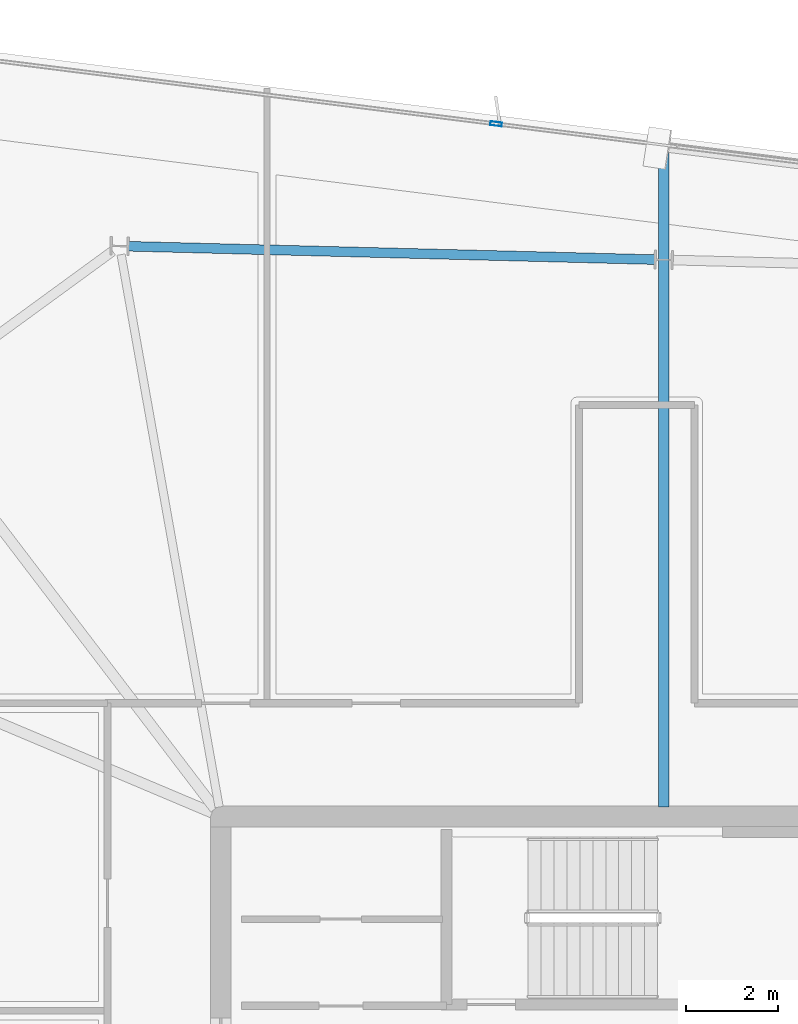
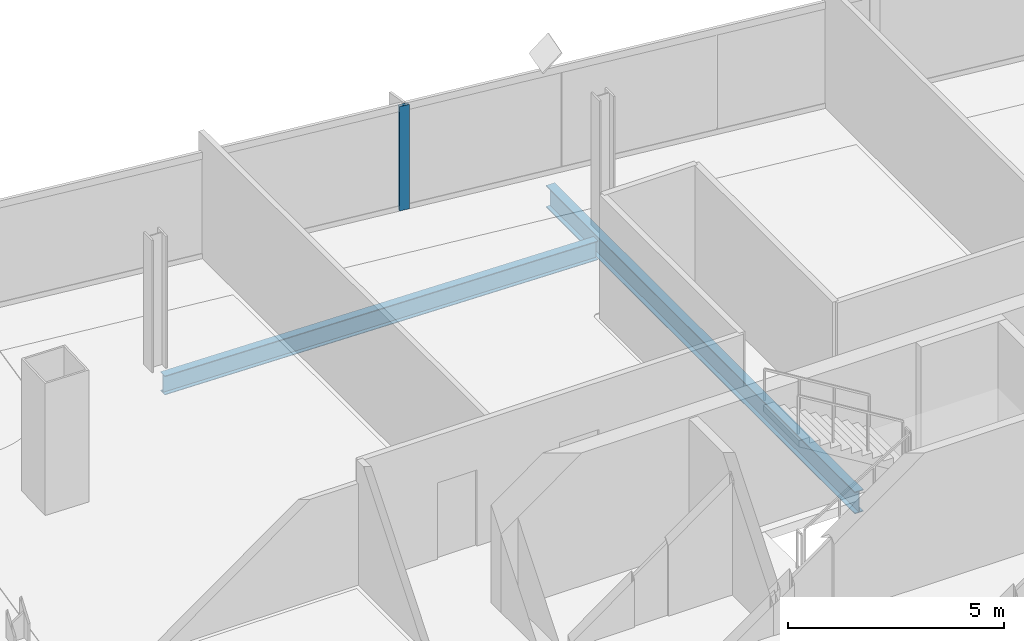
# One storey, part 12 of 23: 2 beams, 1 member, 1 element without a shape of its own.
"""IFC4 building model written with IfcOpenShell, lengths in metres."""

from ifc_helpers import new_model, si_unit, direction, frame, origin, origin_2d, place, context, subcontext, project, spatial, hollow_rectangle, i_section, extrude, material, material_profile, profile_set, type_object, element, aggregate, save


model = new_model("IFC4")

# Units and contexts
model_context = context("Model", 3, precision=1e-05, world=origin(), true_north=direction((0.0, 1.0)))
body_context = subcontext(model_context, "Body", "Model", "MODEL_VIEW")
ifc_project = project(units=[si_unit("LENGTHUNIT", "METRE"), si_unit("AREAUNIT", "SQUARE_METRE"), si_unit("VOLUMEUNIT", "CUBIC_METRE"), si_unit("PLANEANGLEUNIT", "RADIAN"), si_unit("MASSUNIT", "GRAM", prefix="KILO")], contexts=[model_context])

# Site, building, storey
site_placement = place(None, origin())
site = spatial("IfcSite", under=ifc_project, at=site_placement, CompositionType="ELEMENT")
building_placement = place(site_placement, origin())
building = spatial("IfcBuilding", under=site, at=building_placement, Name="Haldenkirk Collegiate Tower", CompositionType="ELEMENT")
storey_placement = place(building_placement, frame((0.0, 0.0, 306.449951171875)))
storey = spatial("IfcBuildingStorey", under=building, at=storey_placement, Name="L77", CompositionType="ELEMENT", Elevation=306.449951171875)

# Beams
ifc_material_1 = material(Name="Steel ASTM A992 Grade 50", Category="steel")
ifc_material_profile_1 = material_profile(ifc_material_1, i_section(OverallWidth=0.22998046875, OverallDepth=0.616943359375, WebThickness=0.01318359375, FlangeThickness=0.022216796875, at=origin_2d()), Name="W24X94")
ifc_profile_set_1 = profile_set([ifc_material_profile_1], Name="Steel ASTM A992 Grade 50")
beam_type_1 = type_object("IfcBeamType", Name="BM-GIRDER-W24X94", PredefinedType="BEAM", material=ifc_profile_set_1)
beam_1_placement = place(storey_placement, frame((36.582275390625, 48.484375, -0.568359375), z_axis=(0.0, -1.0, 0.0), x_axis=(1.0, 0.0, 0.0)))
element("IfcBeam", 1, at=beam_1_placement, inside=storey, type_object=beam_type_1, Name="L77 primary floor girder 09", PredefinedType="BEAM", context=body_context, shape_type="SweptSolid", body=[
    extrude(i_section(OverallWidth=0.22998046875, OverallDepth=0.616943359375, WebThickness=0.01318359375, FlangeThickness=0.022216796875, at=origin_2d()), origin(), (0.0, 0.0, 1.0), 14.279296875),
])
ifc_material_profile_2 = material_profile(ifc_material_1, i_section(OverallWidth=0.2099609375, OverallDepth=0.537109375, WebThickness=0.010986328125, FlangeThickness=0.017333984375, at=origin_2d()), Name="W21X68")
ifc_profile_set_2 = profile_set([ifc_material_profile_2], Name="Steel ASTM A992 Grade 50")
beam_type_2 = type_object("IfcBeamType", Name="BM-SPANDREL-W21X68", PredefinedType="SPANDREL", material=ifc_profile_set_2)
beam_2_placement = place(storey_placement, frame((36.394287109375, 46.04638671875, -0.528564453125), z_axis=(-0.999680042221, 0.02529452876, 0.0), x_axis=(-0.02529452876, -0.999680042221, 0.0)))
element("IfcBeam", 2, at=beam_2_placement, inside=storey, type_object=beam_type_2, Name="L77 perimeter spandrel beam 07", PredefinedType="SPANDREL", context=body_context, shape_type="SweptSolid", body=[
    extrude(i_section(OverallWidth=0.2099609375, OverallDepth=0.537109375, WebThickness=0.010986328125, FlangeThickness=0.017333984375, at=origin_2d()), origin(), (0.0, 0.0, 1.0), 11.39892578125),
])

# Curtain wall, member
ifc_material_2 = material(Name="Anodised architectural bronze aluminium", Category="aluminium")
curtain_wall_type = type_object("IfcCurtainWallType", Name="CW-SYS1B-CONVEX-HI", PredefinedType="USERDEFINED", material=ifc_material_2)
curtain_wall_placement = place(storey_placement, origin())
curtain_wall = element("IfcCurtainWall", 3, at=curtain_wall_placement, inside=storey, type_object=curtain_wall_type, Name="L77 Upper tower high-wind convex bronze unitised curtain wall", ObjectType="UNITISED CURTAIN WALL", PredefinedType="USERDEFINED")
ifc_material_profile_3 = material_profile(ifc_material_2, hollow_rectangle(XDim=0.0849609375, YDim=0.25, WallThickness=0.0048828125, at=origin_2d()), Name="CW-MUL-1B")
ifc_profile_set_3 = profile_set([ifc_material_profile_3], Name="Anodised architectural bronze aluminium")
member_type = type_object("IfcMemberType", Name="CW-MUL-1B", PredefinedType="MULLION", material=ifc_profile_set_3)
member_placement = place(storey_placement, frame((32.95654296875, 48.982666015625, 0.0), z_axis=(0.0, 0.0, 1.0), x_axis=(0.125333192769, 0.992114706468, 0.0)))
member = element("IfcMember", 4, at=member_placement, type_object=member_type, Name="CW-1B mullion 2", PredefinedType="MULLION", context=body_context, shape_type="SweptSolid", body=[
    extrude(hollow_rectangle(XDim=0.0849609375, YDim=0.25, WallThickness=0.0048828125, at=origin_2d()), origin(), (0.0, 0.0, 1.0), 2.947998046875),
])
aggregate(curtain_wall, [member])

save(model, "model.ifc")
